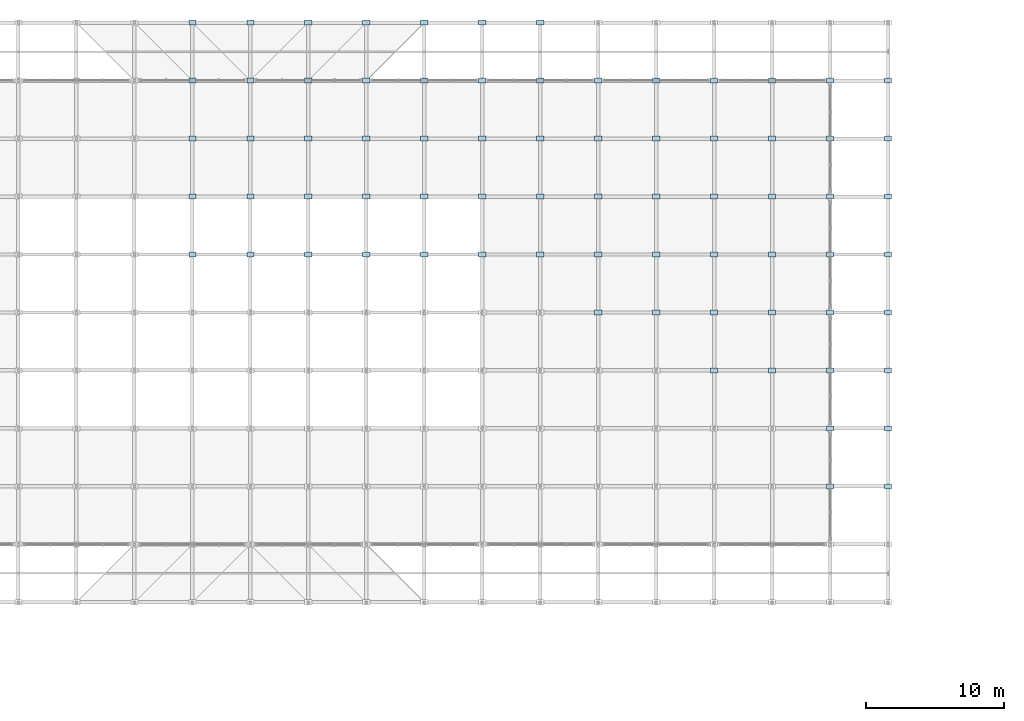
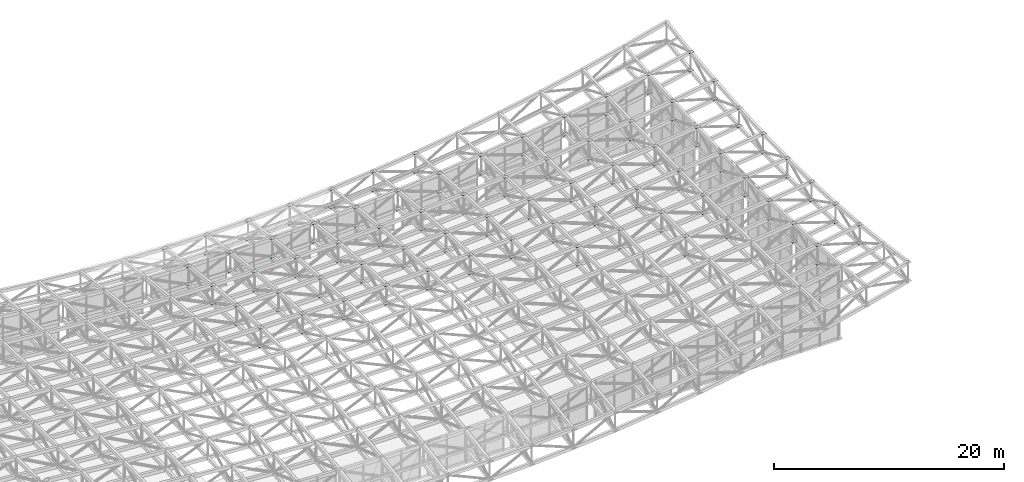
# One storey, part 81 of 111: 146 plates.
"""IFC4 building model written with IfcOpenShell, lengths in metres."""

import ifcopenshell
import ifcopenshell.guid

model = None  # the IFC model being written
_history = None  # IfcOwnerHistory: only IFC2X3 demands one
_inside = {}  # id of a spatial element -> (the spatial element, [elements in it])
_under = {}  # id of a project, library or spatial element -> (it, [spatial elements below it])
_declared = {}  # id of a project -> (the project, [libraries it declares])
_typed = {}  # id of a type object -> (the type object, [elements of that type])
_made_of = {}  # id of a material, layer set ... -> (it, [elements and type objects made of it])


def new_model(schema):
    """Start an empty IFC model of exactly this schema.

    Asked for "IFC4X3", IfcOpenShell would pick the latest addendum, in which some entities
    have other attributes; the version numbers below select the first issue.
    IFC2X3 requires an IfcOwnerHistory on every rooted entity: one is made here for all.
    """
    global model, _history
    if schema == "IFC4X3":
        model = ifcopenshell.file(schema_version=(4, 3, 0, 0))
    else:
        model = ifcopenshell.file(schema=schema)
    _inside.clear()
    _under.clear()
    _declared.clear()
    _typed.clear()
    _made_of.clear()
    _history = None
    if model.schema == "IFC2X3":
        org = make("IfcOrganization", Name="unknown")
        user = make(
            "IfcPersonAndOrganization",
            ThePerson=make("IfcPerson", FamilyName="unknown"),
            TheOrganization=org,
        )
        app = make(
            "IfcApplication",
            ApplicationDeveloper=org,
            Version="unknown",
            ApplicationFullName="unknown",
            ApplicationIdentifier="unknown",
        )
        _history = make(
            "IfcOwnerHistory",
            OwningUser=user,
            OwningApplication=app,
            ChangeAction="ADDED",
            CreationDate=0,
        )
    return model


def make(cls, **values):
    """One entity of the class cls with the attributes given. An attribute that is None is left unset."""
    return model.create_entity(
        cls, **{name: value for name, value in values.items() if value is not None}
    )


def rooted(cls, **values):
    """An entity with a GlobalId (a new one), such as an element, a storey or a relation."""
    return make(cls, GlobalId=ifcopenshell.guid.new(), OwnerHistory=_history, **values)


def si_unit(unit_type, name, prefix=None):
    """IfcSIUnit, for example si_unit("LENGTHUNIT", "METRE", prefix="MILLI")."""
    return make("IfcSIUnit", UnitType=unit_type, Prefix=prefix, Name=name)


def assignment(units):
    """IfcUnitAssignment: the units of a project."""
    return None if units is None else make("IfcUnitAssignment", Units=units)


def point(xyz):
    """IfcCartesianPoint."""
    return None if xyz is None else make("IfcCartesianPoint", Coordinates=xyz)


def direction(xyz):
    """IfcDirection."""
    return None if xyz is None else make("IfcDirection", DirectionRatios=xyz)


def frame(location, z_axis=None, x_axis=None):
    """IfcAxis2Placement3D, a coordinate frame: its origin and axes. An axis left out is left unset."""
    return make(
        "IfcAxis2Placement3D",
        Location=point(location),
        Axis=direction(z_axis),
        RefDirection=direction(x_axis),
    )


def frame_2d(location, x_axis=None):
    """IfcAxis2Placement2D, a coordinate frame in the plane: its origin and x axis."""
    return make(
        "IfcAxis2Placement2D", Location=point(location), RefDirection=direction(x_axis)
    )


def origin():
    """The frame at (0, 0, 0) with its axes left unset."""
    return frame((0.0, 0.0, 0.0))


def origin_2d():
    """The frame at (0, 0) in the plane with its x axis left unset."""
    return frame_2d((0.0, 0.0))


def place(relative_to, where):
    """IfcLocalPlacement: puts the frame where relative to a parent placement (None: the world)."""
    return make(
        "IfcLocalPlacement", PlacementRelTo=relative_to, RelativePlacement=where
    )


def context(
    kind, dimensions, precision=None, world=None, true_north=None, identifier=None
):
    """IfcGeometricRepresentationContext, for example the 3D "Model" context."""
    return make(
        "IfcGeometricRepresentationContext",
        ContextIdentifier=identifier,
        ContextType=kind,
        CoordinateSpaceDimension=dimensions,
        Precision=precision,
        WorldCoordinateSystem=world,
        TrueNorth=true_north,
    )


def subcontext(parent, identifier, kind, view, scale=None):
    """IfcGeometricRepresentationSubContext, for example "Body" below "Model"."""
    return make(
        "IfcGeometricRepresentationSubContext",
        ContextIdentifier=identifier,
        ContextType=kind,
        ParentContext=parent,
        TargetScale=scale,
        TargetView=view,
    )


def project(units=None, contexts=None):
    """IfcProject with its units and contexts."""
    return rooted(
        "IfcProject",
        Name="project",
        RepresentationContexts=contexts,
        UnitsInContext=assignment(units),
    )


def spatial(cls, under=None, at=None, **own):
    """A site, building, storey or space (cls), placed at a placement, below another one or the project."""
    s = rooted(cls, ObjectPlacement=at, **own)
    if under is not None:
        _under.setdefault(under.id(), (under, []))[1].append(s)
    return s


def profile(cls, at=None, kind="AREA", **sizes):
    """A parametric profile (cls). Its sizes go by their IFC names, for example OverallWidth=200.0."""
    return make(cls, ProfileType=kind, Position=at, **sizes)


def rectangle(**sizes):
    """IfcRectangleProfileDef."""
    return profile("IfcRectangleProfileDef", **sizes)


def extrude(swept, where, along, depth):
    """IfcExtrudedAreaSolid: the profile swept, set in the frame where, extruded along a direction by depth."""
    return make(
        "IfcExtrudedAreaSolid",
        SweptArea=swept,
        Position=where,
        ExtrudedDirection=direction(along),
        Depth=depth,
    )


def shape(context_of_items, identifier, shape_type, items):
    """IfcShapeRepresentation: the items that make up one representation, for example the "Body"."""
    return make(
        "IfcShapeRepresentation",
        ContextOfItems=context_of_items,
        RepresentationIdentifier=identifier,
        RepresentationType=shape_type,
        Items=items,
    )


def material(Name=None, Category=None):
    """IfcMaterial."""
    return make("IfcMaterial", Name=Name, Category=Category)


def layer(
    of_material, thickness, ventilated=None, Name=None, Category=None, Priority=None
):
    """IfcMaterialLayer: one layer of a wall or slab, of a material (None: an air gap)."""
    return make(
        "IfcMaterialLayer",
        Material=of_material,
        LayerThickness=thickness,
        IsVentilated=ventilated,
        Name=Name,
        Category=Category,
        Priority=Priority,
    )


def layer_set(layers, Name=None):
    """IfcMaterialLayerSet."""
    return make("IfcMaterialLayerSet", MaterialLayers=layers, LayerSetName=Name)


def made_of(thing, what):
    """Note that an element or type object is made of a material, layer set ...; save() writes the relation."""
    if what is not None:
        _made_of.setdefault(what.id(), (what, []))[1].append(thing)
    return thing


def type_object(cls, material=None, **own):
    """A type object (cls), such as IfcWallType, which elements share."""
    return made_of(rooted(cls, **own), material)


def element(
    cls,
    number,
    at=None,
    inside=None,
    cuts=None,
    type_object=None,
    material=None,
    context=None,
    identifier="Body",
    shape_type=None,
    held_by="IfcProductDefinitionShape",
    body=None,
    shapes=None,
    **own,
):
    """One element of the class cls, such as IfcWall. Its Tag is "e" and its number.

    at: its placement. inside: the storey or other place that contains it. cuts: it is an
    opening in that element (IfcRelVoidsElement). A single representation is given by context,
    identifier, shape_type and body (its items); several are given by shapes. held_by: the class
    of the entity that holds the representations. save() writes the other relations.
    """
    e = rooted(cls, Tag="e%d" % number, ObjectPlacement=at, **own)
    if body is not None:
        shapes = [shape(context, identifier, shape_type, body)]
    if shapes is not None:
        e.Representation = make(held_by, Representations=shapes)
    if inside is not None:
        _inside.setdefault(inside.id(), (inside, []))[1].append(e)
    if cuts is not None:
        rooted(
            "IfcRelVoidsElement", RelatingBuildingElement=cuts, RelatedOpeningElement=e
        )
    if type_object is not None:
        _typed.setdefault(type_object.id(), (type_object, []))[1].append(e)
    return made_of(e, material)


def aggregate(whole, parts):
    """IfcRelAggregates: a whole, such as a stair, and the parts it consists of."""
    return rooted("IfcRelAggregates", RelatingObject=whole, RelatedObjects=parts)


def save(model, path):
    """Write the relations noted so far, then the file.

    IfcRelAggregates (storeys below a building ...), IfcRelContainedInSpatialStructure (elements
    in a storey), IfcRelDefinesByType, IfcRelAssociatesMaterial and IfcRelDeclares: one each for
    every whole, place, type object, material and project.
    """
    for whole, parts in _under.values():
        aggregate(whole, parts)
    for where, things in _inside.values():
        rooted(
            "IfcRelContainedInSpatialStructure",
            RelatedElements=things,
            RelatingStructure=where,
        )
    for kind, things in _typed.values():
        rooted("IfcRelDefinesByType", RelatedObjects=things, RelatingType=kind)
    for what, things in _made_of.values():
        rooted("IfcRelAssociatesMaterial", RelatedObjects=things, RelatingMaterial=what)
    for by, libraries in _declared.values():
        rooted("IfcRelDeclares", RelatingContext=by, RelatedDefinitions=libraries)
    model.write(path)


model = new_model("IFC4")

# Units and contexts
model_context = context("Model", 3, precision=1e-05, world=origin(), true_north=direction((0.0, 1.0)))
body_context = subcontext(model_context, "Body", "Model", "MODEL_VIEW")
ifc_project = project(units=[si_unit("LENGTHUNIT", "METRE"), si_unit("AREAUNIT", "SQUARE_METRE"), si_unit("VOLUMEUNIT", "CUBIC_METRE"), si_unit("PLANEANGLEUNIT", "RADIAN"), si_unit("MASSUNIT", "GRAM", prefix="KILO")], contexts=[model_context])

# Site, building, storey
site_placement = place(None, origin())
site = spatial("IfcSite", under=ifc_project, at=site_placement, CompositionType="ELEMENT")
building_placement = place(site_placement, origin())
building = spatial("IfcBuilding", under=site, at=building_placement, Name="Cumbredor Promenade Congress Hotel", CompositionType="ELEMENT")
storey_placement = place(building_placement, frame((0.0, 0.0, 15.1201171875)))
storey = spatial("IfcBuildingStorey", under=building, at=storey_placement, Name="L04", CompositionType="ELEMENT", Elevation=15.1201171875)

# Plates
ifc_material = material(Name="Steel ASTM A572 Grade 50", Category="steel")
ifc_layer = layer(ifc_material, 0.030029296875, Name="Steel ASTM A572 Grade 50", Category="steel")
ifc_layer_set = layer_set([ifc_layer], Name="Steel ASTM A572 Grade 50")
plate_type = type_object("IfcPlateType", Name="Forum Truss Node Assembly ND-04", PredefinedType="USERDEFINED", material=ifc_layer_set)
for number, where, z_axis, x_axis, name in (
    (1, (130.199951171875, 105.0, 4.45556640625), (0.0, 0.0, 1.0), (1.0, 0.0, 0.0), "Pre-Function and Breakout Meeting Forum Space Frame Top Node 11.7"),
    (2, (130.199951171875, 105.0, 2.50537109375), (0.0, 0.0, 1.0), (1.0, 0.0, 0.0), "Pre-Function and Breakout Meeting Forum Space Frame Bottom Node 11.7"),
    (3, (130.199951171875, 109.199951171875, 4.2548828125), (0.0, 0.0, 1.0), (1.0, 0.0, 0.0), "Pre-Function and Breakout Meeting Forum Space Frame Top Node 11.8"),
    (4, (130.199951171875, 109.199951171875, 2.3046875), (0.0, 0.0, 1.0), (1.0, 0.0, 0.0), "Pre-Function and Breakout Meeting Forum Space Frame Bottom Node 11.8"),
    (5, (130.199951171875, 113.39990234375, 3.8798828125), (0.0, 0.0, 1.0), (1.0, 0.0, 0.0), "Pre-Function and Breakout Meeting Forum Space Frame Top Node 11.9"),
    (6, (130.199951171875, 113.39990234375, 1.9296875), (0.0, 0.0, 1.0), (1.0, 0.0, 0.0), "Pre-Function and Breakout Meeting Forum Space Frame Bottom Node 11.9"),
    (7, (130.199951171875, 117.60009765625, 3.3544921875), (0.0, 0.0, 1.0), (1.0, 0.0, 0.0), "Pre-Function and Breakout Meeting Forum Space Frame Top Node 11.10"),
    (8, (130.199951171875, 117.60009765625, 1.40478515625), (0.0, 0.0, 1.0), (1.0, 0.0, 0.0), "Pre-Function and Breakout Meeting Forum Space Frame Bottom Node 11.10"),
    (9, (130.199951171875, 121.800048828125, 2.68115234375), (0.0, 0.0, 1.0), (1.0, 0.0, 0.0), "Pre-Function and Breakout Meeting Forum Space Frame Top Node 11.11"),
    (10, (130.199951171875, 121.800048828125, 0.7314453125), (0.0, 0.0, 1.0), (1.0, 0.0, 0.0), "Pre-Function and Breakout Meeting Forum Space Frame Bottom Node 11.11"),
    (11, (134.39990234375, 105.0, 4.45556640625), (0.0, 0.0, 1.0), (1.0, 0.0, 0.0), "Pre-Function and Breakout Meeting Forum Space Frame Top Node 12.7"),
    (12, (134.39990234375, 105.0, 2.50537109375), (0.0, 0.0, 1.0), (1.0, 0.0, 0.0), "Pre-Function and Breakout Meeting Forum Space Frame Bottom Node 12.7"),
    (13, (134.39990234375, 109.199951171875, 4.22705078125), (0.0, 0.0, 1.0), (1.0, 0.0, 0.0), "Pre-Function and Breakout Meeting Forum Space Frame Top Node 12.8"),
    (14, (134.39990234375, 109.199951171875, 2.27685546875), (0.0, 0.0, 1.0), (1.0, 0.0, 0.0), "Pre-Function and Breakout Meeting Forum Space Frame Bottom Node 12.8"),
    (15, (134.39990234375, 113.39990234375, 3.845703125), (0.0, 0.0, 1.0), (1.0, 0.0, 0.0), "Pre-Function and Breakout Meeting Forum Space Frame Top Node 12.9"),
    (16, (134.39990234375, 113.39990234375, 1.89599609375), (0.0, 0.0, 1.0), (1.0, 0.0, 0.0), "Pre-Function and Breakout Meeting Forum Space Frame Bottom Node 12.9"),
    (17, (134.39990234375, 117.60009765625, 3.3125), (0.0, 0.0, 1.0), (1.0, 0.0, 0.0), "Pre-Function and Breakout Meeting Forum Space Frame Top Node 12.10"),
    (18, (134.39990234375, 117.60009765625, 1.36279296875), (0.0, 0.0, 1.0), (1.0, 0.0, 0.0), "Pre-Function and Breakout Meeting Forum Space Frame Bottom Node 12.10"),
    (19, (134.39990234375, 121.800048828125, 2.62841796875), (0.0, 0.0, 1.0), (1.0, 0.0, 0.0), "Pre-Function and Breakout Meeting Forum Space Frame Top Node 12.11"),
    (20, (134.39990234375, 121.800048828125, 0.6787109375), (0.0, 0.0, 1.0), (1.0, 0.0, 0.0), "Pre-Function and Breakout Meeting Forum Space Frame Bottom Node 12.11"),
    (21, (138.60009765625, 105.0, 4.45556640625), (0.0, 0.0, 1.0), (1.0, 0.0, 0.0), "Pre-Function and Breakout Meeting Forum Space Frame Top Node 13.7"),
    (22, (138.60009765625, 105.0, 2.50537109375), (0.0, 0.0, 1.0), (1.0, 0.0, 0.0), "Pre-Function and Breakout Meeting Forum Space Frame Bottom Node 13.7"),
    (23, (138.60009765625, 109.199951171875, 4.2548828125), (0.0, 0.0, 1.0), (1.0, 0.0, 0.0), "Pre-Function and Breakout Meeting Forum Space Frame Top Node 13.8"),
    (24, (138.60009765625, 109.199951171875, 2.3046875), (0.0, 0.0, 1.0), (1.0, 0.0, 0.0), "Pre-Function and Breakout Meeting Forum Space Frame Bottom Node 13.8"),
    (25, (138.60009765625, 113.39990234375, 3.8798828125), (0.0, 0.0, 1.0), (1.0, 0.0, 0.0), "Pre-Function and Breakout Meeting Forum Space Frame Top Node 13.9"),
    (26, (138.60009765625, 113.39990234375, 1.9296875), (0.0, 0.0, 1.0), (1.0, 0.0, 0.0), "Pre-Function and Breakout Meeting Forum Space Frame Bottom Node 13.9"),
    (27, (138.60009765625, 117.60009765625, 3.3544921875), (0.0, 0.0, 1.0), (1.0, 0.0, 0.0), "Pre-Function and Breakout Meeting Forum Space Frame Top Node 13.10"),
    (28, (138.60009765625, 117.60009765625, 1.40478515625), (0.0, 0.0, 1.0), (1.0, 0.0, 0.0), "Pre-Function and Breakout Meeting Forum Space Frame Bottom Node 13.10"),
    (29, (138.60009765625, 121.800048828125, 2.68115234375), (0.0, 0.0, 1.0), (1.0, 0.0, 0.0), "Pre-Function and Breakout Meeting Forum Space Frame Top Node 13.11"),
    (30, (138.60009765625, 121.800048828125, 0.7314453125), (0.0, 0.0, 1.0), (1.0, 0.0, 0.0), "Pre-Function and Breakout Meeting Forum Space Frame Bottom Node 13.11"),
    (31, (142.800048828125, 105.0, 4.552734375), (0.0, 0.0, 1.0), (1.0, 0.0, 0.0), "Pre-Function and Breakout Meeting Forum Space Frame Top Node 14.7"),
    (32, (142.800048828125, 105.0, 2.6025390625), (0.0, 0.0, 1.0), (1.0, 0.0, 0.0), "Pre-Function and Breakout Meeting Forum Space Frame Bottom Node 14.7"),
    (33, (142.800048828125, 109.199951171875, 4.33837890625), (0.0, 0.0, 1.0), (1.0, 0.0, 0.0), "Pre-Function and Breakout Meeting Forum Space Frame Top Node 14.8"),
    (34, (142.800048828125, 109.199951171875, 2.38818359375), (0.0, 0.0, 1.0), (1.0, 0.0, 0.0), "Pre-Function and Breakout Meeting Forum Space Frame Bottom Node 14.8"),
    (35, (142.800048828125, 113.39990234375, 3.98095703125), (0.0, 0.0, 1.0), (1.0, 0.0, 0.0), "Pre-Function and Breakout Meeting Forum Space Frame Top Node 14.9"),
    (36, (142.800048828125, 113.39990234375, 2.03125), (0.0, 0.0, 1.0), (1.0, 0.0, 0.0), "Pre-Function and Breakout Meeting Forum Space Frame Bottom Node 14.9"),
    (37, (142.800048828125, 117.60009765625, 3.48095703125), (0.0, 0.0, 1.0), (1.0, 0.0, 0.0), "Pre-Function and Breakout Meeting Forum Space Frame Top Node 14.10"),
    (38, (142.800048828125, 117.60009765625, 1.53125), (0.0, 0.0, 1.0), (1.0, 0.0, 0.0), "Pre-Function and Breakout Meeting Forum Space Frame Bottom Node 14.10"),
    (39, (142.800048828125, 121.800048828125, 2.83984375), (0.0, 0.0, 1.0), (1.0, 0.0, 0.0), "Pre-Function and Breakout Meeting Forum Space Frame Top Node 14.11"),
    (40, (142.800048828125, 121.800048828125, 0.89013671875), (0.0, 0.0, 1.0), (1.0, 0.0, 0.0), "Pre-Function and Breakout Meeting Forum Space Frame Bottom Node 14.11"),
    (41, (147.0, 105.0, 4.67431640625), (0.0, 0.0, 1.0), (1.0, 0.0, 0.0), "Pre-Function and Breakout Meeting Forum Space Frame Top Node 15.7"),
    (42, (147.0, 105.0, 2.724609375), (0.0, 0.0, 1.0), (1.0, 0.0, 0.0), "Pre-Function and Breakout Meeting Forum Space Frame Bottom Node 15.7"),
    (43, (147.0, 109.199951171875, 4.47802734375), (0.0, 0.0, 1.0), (1.0, 0.0, 0.0), "Pre-Function and Breakout Meeting Forum Space Frame Top Node 15.8"),
    (44, (147.0, 109.199951171875, 2.52783203125), (0.0, 0.0, 1.0), (1.0, 0.0, 0.0), "Pre-Function and Breakout Meeting Forum Space Frame Bottom Node 15.8"),
    (45, (147.0, 113.39990234375, 4.150390625), (0.0, 0.0, 1.0), (1.0, 0.0, 0.0), "Pre-Function and Breakout Meeting Forum Space Frame Top Node 15.9"),
    (46, (147.0, 113.39990234375, 2.20068359375), (0.0, 0.0, 1.0), (1.0, 0.0, 0.0), "Pre-Function and Breakout Meeting Forum Space Frame Bottom Node 15.9"),
    (47, (147.0, 117.60009765625, 3.69189453125), (0.0, 0.0, 1.0), (1.0, 0.0, 0.0), "Pre-Function and Breakout Meeting Forum Space Frame Top Node 15.10"),
    (48, (147.0, 117.60009765625, 1.7421875), (0.0, 0.0, 1.0), (1.0, 0.0, 0.0), "Pre-Function and Breakout Meeting Forum Space Frame Bottom Node 15.10"),
    (49, (147.0, 121.800048828125, 3.1044921875), (0.0, 0.0, 1.0), (1.0, 0.0, 0.0), "Pre-Function and Breakout Meeting Forum Space Frame Top Node 15.11"),
    (50, (147.0, 121.800048828125, 1.154296875), (0.0, 0.0, 1.0), (1.0, 0.0, 0.0), "Pre-Function and Breakout Meeting Forum Space Frame Bottom Node 15.11"),
    (51, (151.199951171875, 105.0, 4.84423828125), (0.0, 0.0, 1.0), (1.0, 0.0, 0.0), "Pre-Function and Breakout Meeting Forum Space Frame Top Node 16.7"),
    (52, (151.199951171875, 105.0, 2.89453125), (0.0, 0.0, 1.0), (1.0, 0.0, 0.0), "Pre-Function and Breakout Meeting Forum Space Frame Bottom Node 16.7"),
    (53, (151.199951171875, 109.199951171875, 4.6728515625), (0.0, 0.0, 1.0), (1.0, 0.0, 0.0), "Pre-Function and Breakout Meeting Forum Space Frame Top Node 16.8"),
    (54, (151.199951171875, 109.199951171875, 2.72314453125), (0.0, 0.0, 1.0), (1.0, 0.0, 0.0), "Pre-Function and Breakout Meeting Forum Space Frame Bottom Node 16.8"),
    (55, (151.199951171875, 113.39990234375, 4.38720703125), (0.0, 0.0, 1.0), (1.0, 0.0, 0.0), "Pre-Function and Breakout Meeting Forum Space Frame Top Node 16.9"),
    (56, (151.199951171875, 113.39990234375, 2.4375), (0.0, 0.0, 1.0), (1.0, 0.0, 0.0), "Pre-Function and Breakout Meeting Forum Space Frame Bottom Node 16.9"),
    (57, (151.199951171875, 117.60009765625, 3.9873046875), (0.0, 0.0, 1.0), (1.0, 0.0, 0.0), "Pre-Function and Breakout Meeting Forum Space Frame Top Node 16.10"),
    (58, (151.199951171875, 117.60009765625, 2.03759765625), (0.0, 0.0, 1.0), (1.0, 0.0, 0.0), "Pre-Function and Breakout Meeting Forum Space Frame Bottom Node 16.10"),
    (59, (151.199951171875, 121.800048828125, 3.474609375), (0.0, 0.0, 1.0), (1.0, 0.0, 0.0), "Pre-Function and Breakout Meeting Forum Space Frame Top Node 16.11"),
    (60, (151.199951171875, 121.800048828125, 1.52490234375), (0.0, 0.0, 1.0), (1.0, 0.0, 0.0), "Pre-Function and Breakout Meeting Forum Space Frame Bottom Node 16.11"),
    (61, (155.39990234375, 105.0, 5.0634765625), (0.0, 0.0, 1.0), (1.0, 0.0, 0.0), "Pre-Function and Breakout Meeting Forum Space Frame Top Node 17.7"),
    (62, (155.39990234375, 105.0, 3.11328125), (0.0, 0.0, 1.0), (1.0, 0.0, 0.0), "Pre-Function and Breakout Meeting Forum Space Frame Bottom Node 17.7"),
    (63, (155.39990234375, 109.199951171875, 4.923828125), (0.0, 0.0, 1.0), (1.0, 0.0, 0.0), "Pre-Function and Breakout Meeting Forum Space Frame Top Node 17.8"),
    (64, (155.39990234375, 109.199951171875, 2.97412109375), (0.0, 0.0, 1.0), (1.0, 0.0, 0.0), "Pre-Function and Breakout Meeting Forum Space Frame Bottom Node 17.8"),
    (65, (155.39990234375, 113.39990234375, 4.69189453125), (0.0, 0.0, 1.0), (1.0, 0.0, 0.0), "Pre-Function and Breakout Meeting Forum Space Frame Top Node 17.9"),
    (66, (155.39990234375, 113.39990234375, 2.74169921875), (0.0, 0.0, 1.0), (1.0, 0.0, 0.0), "Pre-Function and Breakout Meeting Forum Space Frame Bottom Node 17.9"),
    (67, (155.39990234375, 117.60009765625, 4.36669921875), (0.0, 0.0, 1.0), (1.0, 0.0, 0.0), "Pre-Function and Breakout Meeting Forum Space Frame Top Node 17.10"),
    (68, (155.39990234375, 117.60009765625, 2.4169921875), (0.0, 0.0, 1.0), (1.0, 0.0, 0.0), "Pre-Function and Breakout Meeting Forum Space Frame Bottom Node 17.10"),
    (69, (155.39990234375, 121.800048828125, 3.95068359375), (0.0, 0.0, 1.0), (1.0, 0.0, 0.0), "Pre-Function and Breakout Meeting Forum Space Frame Top Node 17.11"),
    (70, (155.39990234375, 121.800048828125, 2.00048828125), (0.0, 0.0, 1.0), (1.0, 0.0, 0.0), "Pre-Function and Breakout Meeting Forum Space Frame Bottom Node 17.11"),
    (71, (159.60009765625, 100.800048828125, 5.3642578125), (0.0, 0.0, 1.0), (1.0, 0.0, 0.0), "Pre-Function and Breakout Meeting Forum Space Frame Top Node 18.6"),
    (72, (159.60009765625, 100.800048828125, 3.4140625), (0.0, 0.0, 1.0), (1.0, 0.0, 0.0), "Pre-Function and Breakout Meeting Forum Space Frame Bottom Node 18.6"),
    (73, (159.60009765625, 105.0, 5.33056640625), (0.0, 0.0, 1.0), (1.0, 0.0, 0.0), "Pre-Function and Breakout Meeting Forum Space Frame Top Node 18.7"),
    (74, (159.60009765625, 105.0, 3.380859375), (0.0, 0.0, 1.0), (1.0, 0.0, 0.0), "Pre-Function and Breakout Meeting Forum Space Frame Bottom Node 18.7"),
    (75, (159.60009765625, 109.199951171875, 5.23046875), (0.0, 0.0, 1.0), (1.0, 0.0, 0.0), "Pre-Function and Breakout Meeting Forum Space Frame Top Node 18.8"),
    (76, (159.60009765625, 109.199951171875, 3.28076171875), (0.0, 0.0, 1.0), (1.0, 0.0, 0.0), "Pre-Function and Breakout Meeting Forum Space Frame Bottom Node 18.8"),
    (77, (159.60009765625, 113.39990234375, 5.06396484375), (0.0, 0.0, 1.0), (1.0, 0.0, 0.0), "Pre-Function and Breakout Meeting Forum Space Frame Top Node 18.9"),
    (78, (159.60009765625, 113.39990234375, 3.11376953125), (0.0, 0.0, 1.0), (1.0, 0.0, 0.0), "Pre-Function and Breakout Meeting Forum Space Frame Bottom Node 18.9"),
    (79, (159.60009765625, 117.60009765625, 4.83056640625), (0.0, 0.0, 1.0), (1.0, 0.0, 0.0), "Pre-Function and Breakout Meeting Forum Space Frame Top Node 18.10"),
    (80, (159.60009765625, 117.60009765625, 2.88037109375), (0.0, 0.0, 1.0), (1.0, 0.0, 0.0), "Pre-Function and Breakout Meeting Forum Space Frame Bottom Node 18.10"),
    (81, (163.800048828125, 100.800048828125, 5.6650390625), (0.0, 0.0, 1.0), (1.0, 0.0, 0.0), "Pre-Function and Breakout Meeting Forum Space Frame Top Node 19.6"),
    (82, (163.800048828125, 100.800048828125, 3.71484375), (0.0, 0.0, 1.0), (1.0, 0.0, 0.0), "Pre-Function and Breakout Meeting Forum Space Frame Bottom Node 19.6"),
    (83, (163.800048828125, 105.0, 5.64697265625), (0.0, 0.0, 1.0), (1.0, 0.0, 0.0), "Pre-Function and Breakout Meeting Forum Space Frame Top Node 19.7"),
    (84, (163.800048828125, 105.0, 3.69677734375), (0.0, 0.0, 1.0), (1.0, 0.0, 0.0), "Pre-Function and Breakout Meeting Forum Space Frame Bottom Node 19.7"),
    (85, (163.800048828125, 109.199951171875, 5.59326171875), (0.0, 0.0, 1.0), (1.0, 0.0, 0.0), "Pre-Function and Breakout Meeting Forum Space Frame Top Node 19.8"),
    (86, (163.800048828125, 109.199951171875, 3.64306640625), (0.0, 0.0, 1.0), (1.0, 0.0, 0.0), "Pre-Function and Breakout Meeting Forum Space Frame Bottom Node 19.8"),
    (87, (163.800048828125, 113.39990234375, 5.50390625), (0.0, 0.0, 1.0), (1.0, 0.0, 0.0), "Pre-Function and Breakout Meeting Forum Space Frame Top Node 19.9"),
    (88, (163.800048828125, 113.39990234375, 3.5537109375), (0.0, 0.0, 1.0), (1.0, 0.0, 0.0), "Pre-Function and Breakout Meeting Forum Space Frame Bottom Node 19.9"),
    (89, (163.800048828125, 117.60009765625, 5.3779296875), (0.0, 0.0, 1.0), (1.0, 0.0, 0.0), "Pre-Function and Breakout Meeting Forum Space Frame Top Node 19.10"),
    (90, (163.800048828125, 117.60009765625, 3.42822265625), (0.0, 0.0, 1.0), (1.0, 0.0, 0.0), "Pre-Function and Breakout Meeting Forum Space Frame Bottom Node 19.10"),
    (91, (168.0, 96.60009765625, 6.01123046875), (0.0, 0.0, 1.0), (1.0, 0.0, 0.0), "Pre-Function and Breakout Meeting Forum Space Frame Top Node 20.5"),
    (92, (168.0, 96.60009765625, 4.0615234375), (0.0, 0.0, 1.0), (1.0, 0.0, 0.0), "Pre-Function and Breakout Meeting Forum Space Frame Bottom Node 20.5"),
    (93, (168.0, 100.800048828125, 6.01171875), (0.0, 0.0, 1.0), (1.0, 0.0, 0.0), "Pre-Function and Breakout Meeting Forum Space Frame Top Node 20.6"),
    (94, (168.0, 100.800048828125, 4.0615234375), (0.0, 0.0, 1.0), (1.0, 0.0, 0.0), "Pre-Function and Breakout Meeting Forum Space Frame Bottom Node 20.6"),
    (95, (168.0, 105.0, 6.01123046875), (0.0, 0.0, 1.0), (1.0, 0.0, 0.0), "Pre-Function and Breakout Meeting Forum Space Frame Top Node 20.7"),
    (96, (168.0, 105.0, 4.0615234375), (0.0, 0.0, 1.0), (1.0, 0.0, 0.0), "Pre-Function and Breakout Meeting Forum Space Frame Bottom Node 20.7"),
    (97, (168.0, 109.199951171875, 6.01123046875), (0.0, 0.0, 1.0), (1.0, 0.0, 0.0), "Pre-Function and Breakout Meeting Forum Space Frame Top Node 20.8"),
    (98, (168.0, 109.199951171875, 4.06103515625), (0.0, 0.0, 1.0), (1.0, 0.0, 0.0), "Pre-Function and Breakout Meeting Forum Space Frame Bottom Node 20.8"),
    (99, (168.0, 113.39990234375, 6.0107421875), (0.0, 0.0, 1.0), (1.0, 0.0, 0.0), "Pre-Function and Breakout Meeting Forum Space Frame Top Node 20.9"),
    (100, (168.0, 113.39990234375, 4.060546875), (0.0, 0.0, 1.0), (1.0, 0.0, 0.0), "Pre-Function and Breakout Meeting Forum Space Frame Bottom Node 20.9"),
    (101, (168.0, 117.60009765625, 6.009765625), (0.0, 0.0, 1.0), (1.0, 0.0, 0.0), "Pre-Function and Breakout Meeting Forum Space Frame Top Node 20.10"),
    (102, (168.0, 117.60009765625, 4.0595703125), (0.0, 0.0, 1.0), (1.0, 0.0, 0.0), "Pre-Function and Breakout Meeting Forum Space Frame Bottom Node 20.10"),
    (103, (172.199951171875, 96.60009765625, 6.4248046875), (0.0, 0.0, 1.0), (1.0, 0.0, 0.0), "Pre-Function and Breakout Meeting Forum Space Frame Top Node 21.5"),
    (104, (172.199951171875, 96.60009765625, 4.474609375), (0.0, 0.0, 1.0), (1.0, 0.0, 0.0), "Pre-Function and Breakout Meeting Forum Space Frame Bottom Node 21.5"),
    (105, (172.199951171875, 100.800048828125, 6.40478515625), (0.0, 0.0, 1.0), (1.0, 0.0, 0.0), "Pre-Function and Breakout Meeting Forum Space Frame Top Node 21.6"),
    (106, (172.199951171875, 100.800048828125, 4.45458984375), (0.0, 0.0, 1.0), (1.0, 0.0, 0.0), "Pre-Function and Breakout Meeting Forum Space Frame Bottom Node 21.6"),
    (107, (172.199951171875, 105.0, 6.4248046875), (0.0, 0.0, 1.0), (1.0, 0.0, 0.0), "Pre-Function and Breakout Meeting Forum Space Frame Top Node 21.7"),
    (108, (172.199951171875, 105.0, 4.474609375), (0.0, 0.0, 1.0), (1.0, 0.0, 0.0), "Pre-Function and Breakout Meeting Forum Space Frame Bottom Node 21.7"),
    (109, (172.199951171875, 109.199951171875, 6.48486328125), (0.0, 0.0, 1.0), (1.0, 0.0, 0.0), "Pre-Function and Breakout Meeting Forum Space Frame Top Node 21.8"),
    (110, (172.199951171875, 109.199951171875, 4.53466796875), (0.0, 0.0, 1.0), (1.0, 0.0, 0.0), "Pre-Function and Breakout Meeting Forum Space Frame Bottom Node 21.8"),
    (111, (172.199951171875, 113.39990234375, 6.5849609375), (0.0, 0.0, 1.0), (1.0, 0.0, 0.0), "Pre-Function and Breakout Meeting Forum Space Frame Top Node 21.9"),
    (112, (172.199951171875, 113.39990234375, 4.63525390625), (0.0, 0.0, 1.0), (1.0, 0.0, 0.0), "Pre-Function and Breakout Meeting Forum Space Frame Bottom Node 21.9"),
    (113, (172.199951171875, 117.60009765625, 6.72509765625), (0.0, 0.0, 1.0), (1.0, 0.0, 0.0), "Pre-Function and Breakout Meeting Forum Space Frame Top Node 21.10"),
    (114, (172.199951171875, 117.60009765625, 4.775390625), (0.0, 0.0, 1.0), (1.0, 0.0, 0.0), "Pre-Function and Breakout Meeting Forum Space Frame Bottom Node 21.10"),
    (115, (176.39990234375, 88.199951171875, 7.22705078125), (0.0, 0.0, 1.0), (1.0, 0.0, 0.0), "Pre-Function and Breakout Meeting Forum Space Frame Top Node 22.3"),
    (116, (176.39990234375, 88.199951171875, 5.27685546875), (0.0, 0.0, 1.0), (1.0, 0.0, 0.0), "Pre-Function and Breakout Meeting Forum Space Frame Bottom Node 22.3"),
    (117, (176.39990234375, 92.39990234375, 7.01416015625), (0.0, 0.0, 1.0), (1.0, 0.0, 0.0), "Pre-Function and Breakout Meeting Forum Space Frame Top Node 22.4"),
    (118, (176.39990234375, 92.39990234375, 5.06396484375), (0.0, 0.0, 1.0), (1.0, 0.0, 0.0), "Pre-Function and Breakout Meeting Forum Space Frame Bottom Node 22.4"),
    (119, (176.39990234375, 96.60009765625, 6.88623046875), (0.0, 0.0, 1.0), (1.0, 0.0, 0.0), "Pre-Function and Breakout Meeting Forum Space Frame Top Node 22.5"),
    (120, (176.39990234375, 96.60009765625, 4.9365234375), (0.0, 0.0, 1.0), (1.0, 0.0, 0.0), "Pre-Function and Breakout Meeting Forum Space Frame Bottom Node 22.5"),
    (121, (176.39990234375, 100.800048828125, 6.84375), (0.0, 0.0, 1.0), (1.0, 0.0, 0.0), "Pre-Function and Breakout Meeting Forum Space Frame Top Node 22.6"),
    (122, (176.39990234375, 100.800048828125, 4.89404296875), (0.0, 0.0, 1.0), (1.0, 0.0, 0.0), "Pre-Function and Breakout Meeting Forum Space Frame Bottom Node 22.6"),
    (123, (176.39990234375, 105.0, 6.88623046875), (0.0, 0.0, 1.0), (1.0, 0.0, 0.0), "Pre-Function and Breakout Meeting Forum Space Frame Top Node 22.7"),
    (124, (176.39990234375, 105.0, 4.9365234375), (0.0, 0.0, 1.0), (1.0, 0.0, 0.0), "Pre-Function and Breakout Meeting Forum Space Frame Bottom Node 22.7"),
    (125, (176.39990234375, 109.199951171875, 7.01416015625), (0.0, 0.0, 1.0), (1.0, 0.0, 0.0), "Pre-Function and Breakout Meeting Forum Space Frame Top Node 22.8"),
    (126, (176.39990234375, 109.199951171875, 5.06396484375), (0.0, 0.0, 1.0), (1.0, 0.0, 0.0), "Pre-Function and Breakout Meeting Forum Space Frame Bottom Node 22.8"),
    (127, (176.39990234375, 113.39990234375, 7.22705078125), (0.0, 0.0, 1.0), (1.0, 0.0, 0.0), "Pre-Function and Breakout Meeting Forum Space Frame Top Node 22.9"),
    (128, (176.39990234375, 113.39990234375, 5.27685546875), (0.0, 0.0, 1.0), (1.0, 0.0, 0.0), "Pre-Function and Breakout Meeting Forum Space Frame Bottom Node 22.9"),
    (129, (176.39990234375, 117.60009765625, 7.5244140625), (0.0, 0.0, 1.0), (1.0, 0.0, 0.0), "Pre-Function and Breakout Meeting Forum Space Frame Top Node 22.10"),
    (130, (176.39990234375, 117.60009765625, 5.57470703125), (0.0, 0.0, 1.0), (1.0, 0.0, 0.0), "Pre-Function and Breakout Meeting Forum Space Frame Bottom Node 22.10"),
    (131, (180.60009765625, 88.199951171875, 7.93896484375), (0.0, 0.0, 1.0), (1.0, 0.0, 0.0), "Pre-Function and Breakout Meeting Forum Space Frame Top Node 23.3"),
    (132, (180.60009765625, 88.199951171875, 5.98876953125), (0.0, 0.0, 1.0), (1.0, 0.0, 0.0), "Pre-Function and Breakout Meeting Forum Space Frame Bottom Node 23.3"),
    (133, (180.60009765625, 92.39990234375, 7.6005859375), (0.0, 0.0, 1.0), (1.0, 0.0, 0.0), "Pre-Function and Breakout Meeting Forum Space Frame Top Node 23.4"),
    (134, (180.60009765625, 92.39990234375, 5.65087890625), (0.0, 0.0, 1.0), (1.0, 0.0, 0.0), "Pre-Function and Breakout Meeting Forum Space Frame Bottom Node 23.4"),
    (135, (180.60009765625, 96.60009765625, 7.39794921875), (0.0, 0.0, 1.0), (1.0, 0.0, 0.0), "Pre-Function and Breakout Meeting Forum Space Frame Top Node 23.5"),
    (136, (180.60009765625, 96.60009765625, 5.44775390625), (0.0, 0.0, 1.0), (1.0, 0.0, 0.0), "Pre-Function and Breakout Meeting Forum Space Frame Bottom Node 23.5"),
    (137, (180.60009765625, 100.800048828125, 7.330078125), (0.0, 0.0, 1.0), (1.0, 0.0, 0.0), "Pre-Function and Breakout Meeting Forum Space Frame Top Node 23.6"),
    (138, (180.60009765625, 100.800048828125, 5.38037109375), (0.0, 0.0, 1.0), (1.0, 0.0, 0.0), "Pre-Function and Breakout Meeting Forum Space Frame Bottom Node 23.6"),
    (139, (180.60009765625, 105.0, 7.39794921875), (0.0, 0.0, 1.0), (1.0, 0.0, 0.0), "Pre-Function and Breakout Meeting Forum Space Frame Top Node 23.7"),
    (140, (180.60009765625, 105.0, 5.44775390625), (0.0, 0.0, 1.0), (1.0, 0.0, 0.0), "Pre-Function and Breakout Meeting Forum Space Frame Bottom Node 23.7"),
    (141, (180.60009765625, 109.199951171875, 7.6005859375), (0.0, 0.0, 1.0), (1.0, 0.0, 0.0), "Pre-Function and Breakout Meeting Forum Space Frame Top Node 23.8"),
    (142, (180.60009765625, 109.199951171875, 5.65087890625), (0.0, 0.0, 1.0), (1.0, 0.0, 0.0), "Pre-Function and Breakout Meeting Forum Space Frame Bottom Node 23.8"),
    (143, (180.60009765625, 113.39990234375, 7.93896484375), (0.0, 0.0, 1.0), (1.0, 0.0, 0.0), "Pre-Function and Breakout Meeting Forum Space Frame Top Node 23.9"),
    (144, (180.60009765625, 113.39990234375, 5.98876953125), (0.0, 0.0, 1.0), (1.0, 0.0, 0.0), "Pre-Function and Breakout Meeting Forum Space Frame Bottom Node 23.9"),
    (145, (180.60009765625, 117.60009765625, 8.41162109375), (0.0, 0.0, 1.0), (1.0, 0.0, 0.0), "Pre-Function and Breakout Meeting Forum Space Frame Top Node 23.10"),
    (146, (180.60009765625, 117.60009765625, 6.4619140625), (0.0, 0.0, 1.0), (1.0, 0.0, 0.0), "Pre-Function and Breakout Meeting Forum Space Frame Bottom Node 23.10"),
):
    element("IfcPlate", number, at=place(storey_placement, frame(where, z_axis=z_axis, x_axis=x_axis)), inside=storey, type_object=plate_type, Name=name, ObjectType="GUSSET PLATE", PredefinedType="USERDEFINED", context=body_context, shape_type="SweptSolid", body=[
        extrude(rectangle(XDim=0.52001953125, YDim=0.3798828125, at=origin_2d()), origin(), (0.0, 0.0, 1.0), 0.030029296875),
    ])

save(model, "model.ifc")
